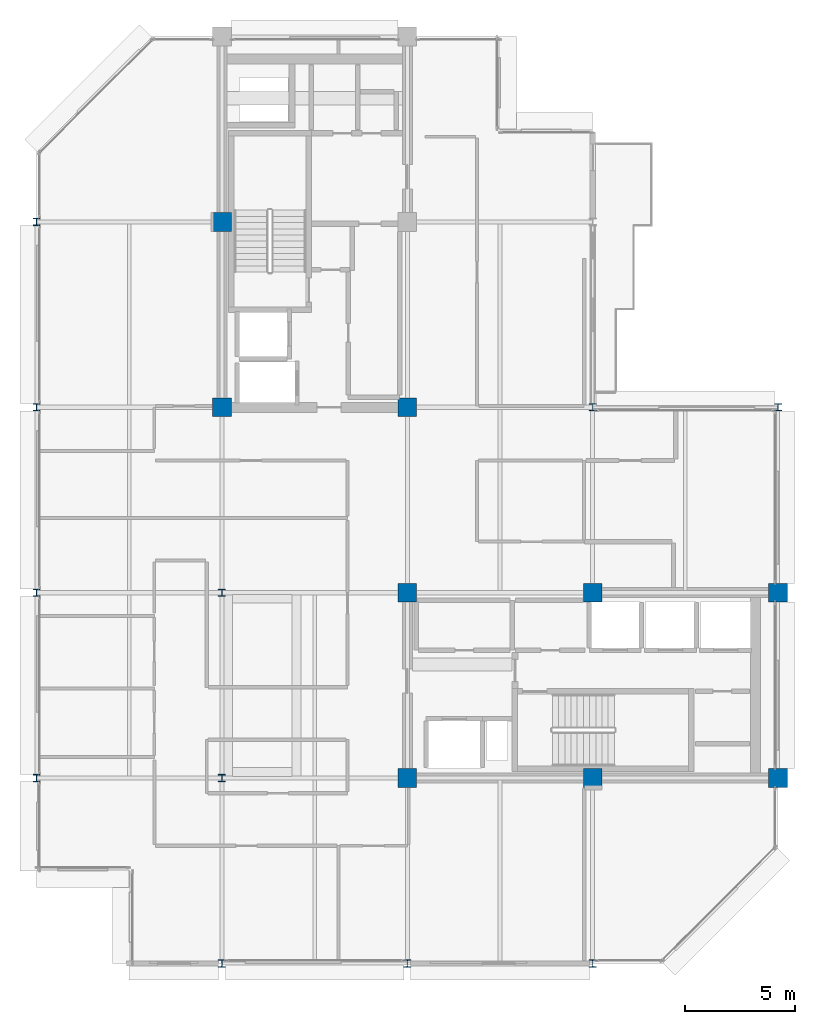
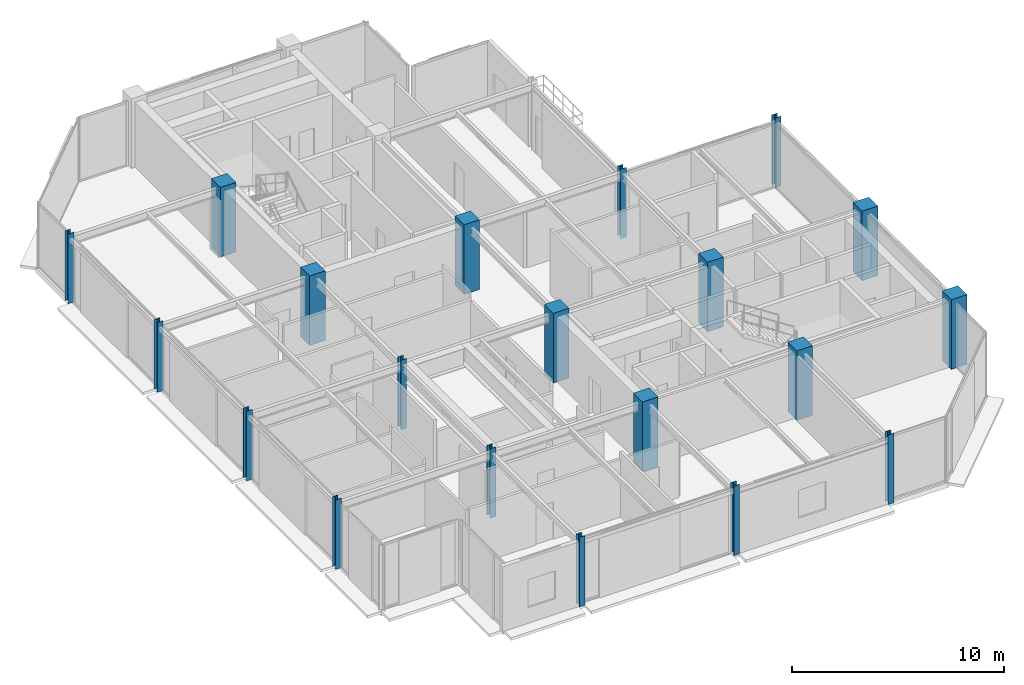
# One storey, part 1 of 25: 20 columns.
"""IFC4 building model written with IfcOpenShell, lengths in metres."""

import ifcopenshell
import ifcopenshell.guid

model = None  # the IFC model being written
_history = None  # IfcOwnerHistory: only IFC2X3 demands one
_inside = {}  # id of a spatial element -> (the spatial element, [elements in it])
_under = {}  # id of a project, library or spatial element -> (it, [spatial elements below it])
_declared = {}  # id of a project -> (the project, [libraries it declares])
_typed = {}  # id of a type object -> (the type object, [elements of that type])
_made_of = {}  # id of a material, layer set ... -> (it, [elements and type objects made of it])


def new_model(schema):
    """Start an empty IFC model of exactly this schema.

    Asked for "IFC4X3", IfcOpenShell would pick the latest addendum, in which some entities
    have other attributes; the version numbers below select the first issue.
    IFC2X3 requires an IfcOwnerHistory on every rooted entity: one is made here for all.
    """
    global model, _history
    if schema == "IFC4X3":
        model = ifcopenshell.file(schema_version=(4, 3, 0, 0))
    else:
        model = ifcopenshell.file(schema=schema)
    _inside.clear()
    _under.clear()
    _declared.clear()
    _typed.clear()
    _made_of.clear()
    _history = None
    if model.schema == "IFC2X3":
        org = make("IfcOrganization", Name="unknown")
        user = make(
            "IfcPersonAndOrganization",
            ThePerson=make("IfcPerson", FamilyName="unknown"),
            TheOrganization=org,
        )
        app = make(
            "IfcApplication",
            ApplicationDeveloper=org,
            Version="unknown",
            ApplicationFullName="unknown",
            ApplicationIdentifier="unknown",
        )
        _history = make(
            "IfcOwnerHistory",
            OwningUser=user,
            OwningApplication=app,
            ChangeAction="ADDED",
            CreationDate=0,
        )
    return model


def make(cls, **values):
    """One entity of the class cls with the attributes given. An attribute that is None is left unset."""
    return model.create_entity(
        cls, **{name: value for name, value in values.items() if value is not None}
    )


def rooted(cls, **values):
    """An entity with a GlobalId (a new one), such as an element, a storey or a relation."""
    return make(cls, GlobalId=ifcopenshell.guid.new(), OwnerHistory=_history, **values)


def si_unit(unit_type, name, prefix=None):
    """IfcSIUnit, for example si_unit("LENGTHUNIT", "METRE", prefix="MILLI")."""
    return make("IfcSIUnit", UnitType=unit_type, Prefix=prefix, Name=name)


def assignment(units):
    """IfcUnitAssignment: the units of a project."""
    return None if units is None else make("IfcUnitAssignment", Units=units)


def point(xyz):
    """IfcCartesianPoint."""
    return None if xyz is None else make("IfcCartesianPoint", Coordinates=xyz)


def direction(xyz):
    """IfcDirection."""
    return None if xyz is None else make("IfcDirection", DirectionRatios=xyz)


def frame(location, z_axis=None, x_axis=None):
    """IfcAxis2Placement3D, a coordinate frame: its origin and axes. An axis left out is left unset."""
    return make(
        "IfcAxis2Placement3D",
        Location=point(location),
        Axis=direction(z_axis),
        RefDirection=direction(x_axis),
    )


def frame_2d(location, x_axis=None):
    """IfcAxis2Placement2D, a coordinate frame in the plane: its origin and x axis."""
    return make(
        "IfcAxis2Placement2D", Location=point(location), RefDirection=direction(x_axis)
    )


def origin():
    """The frame at (0, 0, 0) with its axes left unset."""
    return frame((0.0, 0.0, 0.0))


def origin_2d():
    """The frame at (0, 0) in the plane with its x axis left unset."""
    return frame_2d((0.0, 0.0))


def place(relative_to, where):
    """IfcLocalPlacement: puts the frame where relative to a parent placement (None: the world)."""
    return make(
        "IfcLocalPlacement", PlacementRelTo=relative_to, RelativePlacement=where
    )


def context(
    kind, dimensions, precision=None, world=None, true_north=None, identifier=None
):
    """IfcGeometricRepresentationContext, for example the 3D "Model" context."""
    return make(
        "IfcGeometricRepresentationContext",
        ContextIdentifier=identifier,
        ContextType=kind,
        CoordinateSpaceDimension=dimensions,
        Precision=precision,
        WorldCoordinateSystem=world,
        TrueNorth=true_north,
    )


def subcontext(parent, identifier, kind, view, scale=None):
    """IfcGeometricRepresentationSubContext, for example "Body" below "Model"."""
    return make(
        "IfcGeometricRepresentationSubContext",
        ContextIdentifier=identifier,
        ContextType=kind,
        ParentContext=parent,
        TargetScale=scale,
        TargetView=view,
    )


def project(units=None, contexts=None):
    """IfcProject with its units and contexts."""
    return rooted(
        "IfcProject",
        Name="project",
        RepresentationContexts=contexts,
        UnitsInContext=assignment(units),
    )


def spatial(cls, under=None, at=None, **own):
    """A site, building, storey or space (cls), placed at a placement, below another one or the project."""
    s = rooted(cls, ObjectPlacement=at, **own)
    if under is not None:
        _under.setdefault(under.id(), (under, []))[1].append(s)
    return s


def profile(cls, at=None, kind="AREA", **sizes):
    """A parametric profile (cls). Its sizes go by their IFC names, for example OverallWidth=200.0."""
    return make(cls, ProfileType=kind, Position=at, **sizes)


def rectangle(**sizes):
    """IfcRectangleProfileDef."""
    return profile("IfcRectangleProfileDef", **sizes)


def i_section(**sizes):
    """IfcIShapeProfileDef."""
    return profile("IfcIShapeProfileDef", **sizes)


def extrude(swept, where, along, depth):
    """IfcExtrudedAreaSolid: the profile swept, set in the frame where, extruded along a direction by depth."""
    return make(
        "IfcExtrudedAreaSolid",
        SweptArea=swept,
        Position=where,
        ExtrudedDirection=direction(along),
        Depth=depth,
    )


def shape(context_of_items, identifier, shape_type, items):
    """IfcShapeRepresentation: the items that make up one representation, for example the "Body"."""
    return make(
        "IfcShapeRepresentation",
        ContextOfItems=context_of_items,
        RepresentationIdentifier=identifier,
        RepresentationType=shape_type,
        Items=items,
    )


def material(Name=None, Category=None):
    """IfcMaterial."""
    return make("IfcMaterial", Name=Name, Category=Category)


def material_profile(
    of_material, cross_section, Name=None, Category=None, Priority=None
):
    """IfcMaterialProfile: a cross section and its material."""
    return make(
        "IfcMaterialProfile",
        Name=Name,
        Material=of_material,
        Profile=cross_section,
        Priority=Priority,
        Category=Category,
    )


def profile_set(profiles, Name=None, composite=None):
    """IfcMaterialProfileSet."""
    return make(
        "IfcMaterialProfileSet",
        Name=Name,
        MaterialProfiles=profiles,
        CompositeProfile=composite,
    )


def made_of(thing, what):
    """Note that an element or type object is made of a material, layer set ...; save() writes the relation."""
    if what is not None:
        _made_of.setdefault(what.id(), (what, []))[1].append(thing)
    return thing


def type_object(cls, material=None, **own):
    """A type object (cls), such as IfcWallType, which elements share."""
    return made_of(rooted(cls, **own), material)


def element(
    cls,
    number,
    at=None,
    inside=None,
    cuts=None,
    type_object=None,
    material=None,
    context=None,
    identifier="Body",
    shape_type=None,
    held_by="IfcProductDefinitionShape",
    body=None,
    shapes=None,
    **own,
):
    """One element of the class cls, such as IfcWall. Its Tag is "e" and its number.

    at: its placement. inside: the storey or other place that contains it. cuts: it is an
    opening in that element (IfcRelVoidsElement). A single representation is given by context,
    identifier, shape_type and body (its items); several are given by shapes. held_by: the class
    of the entity that holds the representations. save() writes the other relations.
    """
    e = rooted(cls, Tag="e%d" % number, ObjectPlacement=at, **own)
    if body is not None:
        shapes = [shape(context, identifier, shape_type, body)]
    if shapes is not None:
        e.Representation = make(held_by, Representations=shapes)
    if inside is not None:
        _inside.setdefault(inside.id(), (inside, []))[1].append(e)
    if cuts is not None:
        rooted(
            "IfcRelVoidsElement", RelatingBuildingElement=cuts, RelatedOpeningElement=e
        )
    if type_object is not None:
        _typed.setdefault(type_object.id(), (type_object, []))[1].append(e)
    return made_of(e, material)


def aggregate(whole, parts):
    """IfcRelAggregates: a whole, such as a stair, and the parts it consists of."""
    return rooted("IfcRelAggregates", RelatingObject=whole, RelatedObjects=parts)


def save(model, path):
    """Write the relations noted so far, then the file.

    IfcRelAggregates (storeys below a building ...), IfcRelContainedInSpatialStructure (elements
    in a storey), IfcRelDefinesByType, IfcRelAssociatesMaterial and IfcRelDeclares: one each for
    every whole, place, type object, material and project.
    """
    for whole, parts in _under.values():
        aggregate(whole, parts)
    for where, things in _inside.values():
        rooted(
            "IfcRelContainedInSpatialStructure",
            RelatedElements=things,
            RelatingStructure=where,
        )
    for kind, things in _typed.values():
        rooted("IfcRelDefinesByType", RelatedObjects=things, RelatingType=kind)
    for what, things in _made_of.values():
        rooted("IfcRelAssociatesMaterial", RelatedObjects=things, RelatingMaterial=what)
    for by, libraries in _declared.values():
        rooted("IfcRelDeclares", RelatingContext=by, RelatedDefinitions=libraries)
    model.write(path)


model = new_model("IFC4")

# Units and contexts
model_context = context("Model", 3, precision=1e-05, world=origin(), true_north=direction((0.0, 1.0)))
body_context = subcontext(model_context, "Body", "Model", "MODEL_VIEW")
ifc_project = project(units=[si_unit("LENGTHUNIT", "METRE"), si_unit("AREAUNIT", "SQUARE_METRE"), si_unit("VOLUMEUNIT", "CUBIC_METRE"), si_unit("PLANEANGLEUNIT", "RADIAN"), si_unit("MASSUNIT", "GRAM", prefix="KILO")], contexts=[model_context])

# Site, building, storey
site_placement = place(None, origin())
site = spatial("IfcSite", under=ifc_project, at=site_placement, CompositionType="ELEMENT")
building_placement = place(site_placement, origin())
building = spatial("IfcBuilding", under=site, at=building_placement, Name="Nerrivon Quay Data Exchange", CompositionType="ELEMENT")
storey_placement = place(building_placement, frame((0.0, 0.0, 314.199951171875)))
storey = spatial("IfcBuildingStorey", under=building, at=storey_placement, Name="L75", CompositionType="ELEMENT", Elevation=314.199951171875)

# Columns
ifc_material_1 = material(Name="Concrete N50 (50 MPa)", Category="concrete")
ifc_material_profile_1 = material_profile(ifc_material_1, rectangle(XDim=0.85009765625, YDim=0.85009765625, at=origin_2d()), Name="RC-COL-850x850")
ifc_profile_set_1 = profile_set([ifc_material_profile_1], Name="Concrete N50 (50 MPa)")
column_type_1 = type_object("IfcColumnType", Name="COL-C5-850", PredefinedType="COLUMN", material=ifc_profile_set_1)
for number, where, z_axis, x_axis, name in (
    (1, (8.39990234375, 25.199951171875, 0.0), (0.0, 0.0, 1.0), (1.0, 0.0, 0.0), "L75 Column (8.4,25.2)"),
    (2, (8.39990234375, 33.60009765625, 0.0), (0.0, 0.0, 1.0), (1.0, 0.0, 0.0), "L75 Column (8.4,33.6)"),
    (3, (16.800048828125, 8.39990234375, 0.0), (0.0, 0.0, 1.0), (1.0, 0.0, 0.0), "L75 Column (16.8,8.4)"),
    (4, (16.800048828125, 16.800048828125, 0.0), (0.0, 0.0, 1.0), (1.0, 0.0, 0.0), "L75 Column (16.8,16.8)"),
    (5, (16.800048828125, 25.199951171875, 0.0), (0.0, 0.0, 1.0), (1.0, 0.0, 0.0), "L75 Column (16.8,25.2)"),
    (6, (25.199951171875, 8.39990234375, 0.0), (0.0, 0.0, 1.0), (1.0, 0.0, 0.0), "L75 Column (25.2,8.4)"),
    (7, (25.199951171875, 16.800048828125, 0.0), (0.0, 0.0, 1.0), (1.0, 0.0, 0.0), "L75 Column (25.2,16.8)"),
    (8, (33.60009765625, 8.39990234375, 0.0), (0.0, 0.0, 1.0), (1.0, 0.0, 0.0), "L75 Column (33.6,8.4)"),
    (9, (33.60009765625, 16.800048828125, 0.0), (0.0, 0.0, 1.0), (1.0, 0.0, 0.0), "L75 Column (33.6,16.8)"),
):
    element("IfcColumn", number, at=place(storey_placement, frame(where, z_axis=z_axis, x_axis=x_axis)), inside=storey, type_object=column_type_1, Name=name, PredefinedType="COLUMN", context=body_context, shape_type="SweptSolid", body=[
        extrude(rectangle(XDim=0.85009765625, YDim=0.85009765625, at=origin_2d()), origin(), (0.0, 0.0, 1.0), 4.0),
    ])
ifc_material_2 = material(Name="Steel Grade 350", Category="steel")
ifc_material_profile_2 = material_profile(ifc_material_2, i_section(OverallWidth=0.31103515625, OverallDepth=0.326904296875, WebThickness=0.015625, FlangeThickness=0.02490234375, FilletRadius=0.0166015625, at=origin_2d()), Name="310UC158")
ifc_profile_set_2 = profile_set([ifc_material_profile_2], Name="Steel Grade 350")
column_type_2 = type_object("IfcColumnType", Name="COL-SC4-310UC158", PredefinedType="COLUMN", material=ifc_profile_set_2)
for number, where, z_axis, x_axis, name in (
    (10, (0.0, 8.39990234375, 0.0), (0.0, 0.0, 1.0), (1.0, 0.0, 0.0), "L75 Column (0.0,8.4)"),
    (11, (0.0, 16.800048828125, 0.0), (0.0, 0.0, 1.0), (1.0, 0.0, 0.0), "L75 Column (0.0,16.8)"),
    (12, (0.0, 25.199951171875, 0.0), (0.0, 0.0, 1.0), (1.0, 0.0, 0.0), "L75 Column (0.0,25.2)"),
    (13, (0.0, 33.60009765625, 0.0), (0.0, 0.0, 1.0), (1.0, 0.0, 0.0), "L75 Column (0.0,33.6)"),
    (14, (8.39990234375, 0.0, 0.0), (0.0, 0.0, 1.0), (1.0, 0.0, 0.0), "L75 Column (8.4,0.0)"),
    (15, (8.39990234375, 8.39990234375, 0.0), (0.0, 0.0, 1.0), (1.0, 0.0, 0.0), "L75 Column (8.4,8.4)"),
    (16, (8.39990234375, 16.800048828125, 0.0), (0.0, 0.0, 1.0), (1.0, 0.0, 0.0), "L75 Column (8.4,16.8)"),
    (17, (16.800048828125, 0.0, 0.0), (0.0, 0.0, 1.0), (1.0, 0.0, 0.0), "L75 Column (16.8,0.0)"),
    (18, (25.199951171875, 0.0, 0.0), (0.0, 0.0, 1.0), (1.0, 0.0, 0.0), "L75 Column (25.2,0.0)"),
    (19, (25.199951171875, 25.199951171875, 0.0), (0.0, 0.0, 1.0), (1.0, 0.0, 0.0), "L75 Column (25.2,25.2)"),
    (20, (33.60009765625, 25.199951171875, 0.0), (0.0, 0.0, 1.0), (1.0, 0.0, 0.0), "L75 Column (33.6,25.2)"),
):
    element("IfcColumn", number, at=place(storey_placement, frame(where, z_axis=z_axis, x_axis=x_axis)), inside=storey, type_object=column_type_2, Name=name, PredefinedType="COLUMN", context=body_context, shape_type="SweptSolid", body=[
        extrude(i_section(OverallWidth=0.31103515625, OverallDepth=0.326904296875, WebThickness=0.015625, FlangeThickness=0.02490234375, FilletRadius=0.0166015625, at=origin_2d()), origin(), (0.0, 0.0, 1.0), 4.0),
    ])

save(model, "model.ifc")
